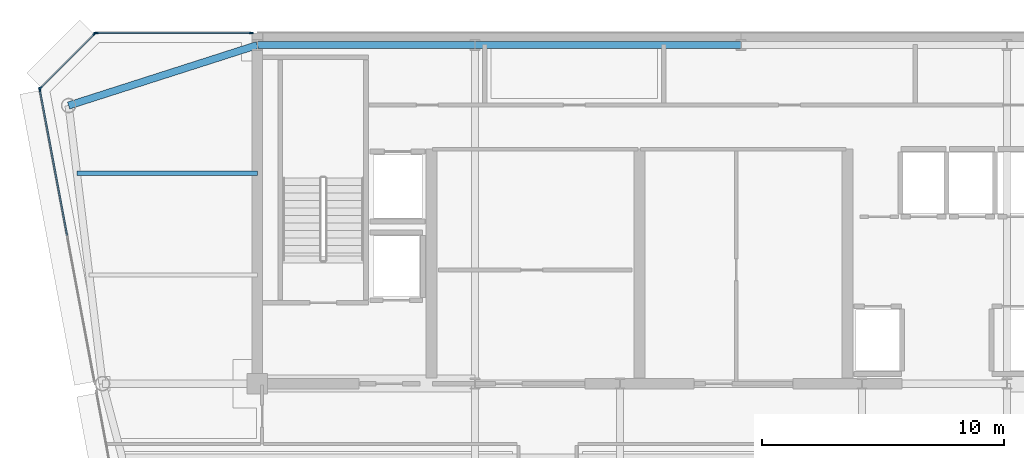
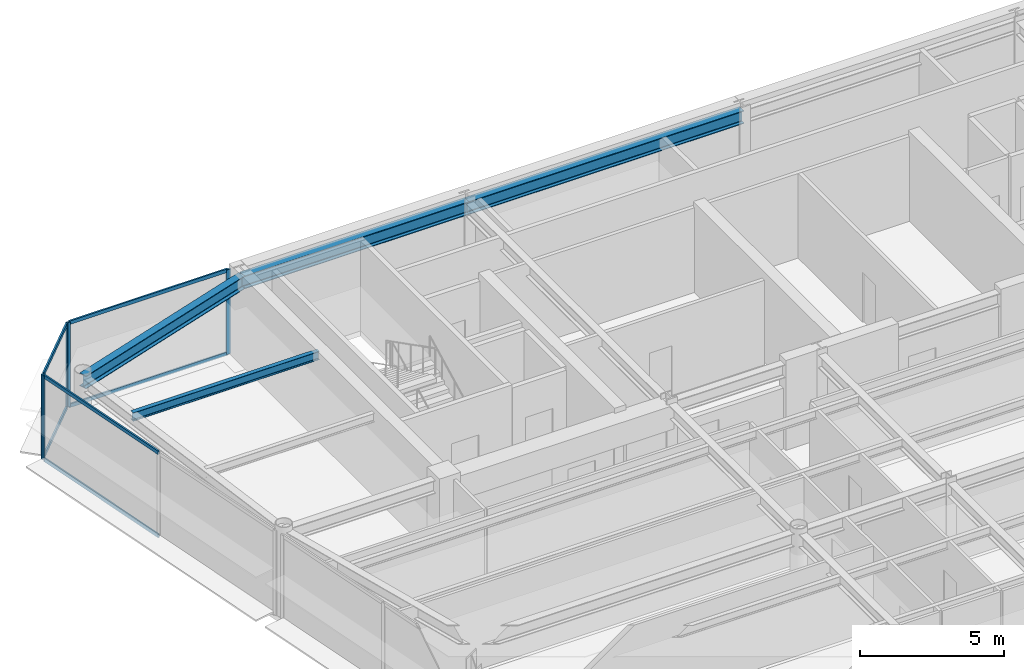
# One storey, part 8 of 20: 11 members, 4 beams, 3 elements without a shape of their own.
"""IFC4 building model written with IfcOpenShell, lengths in metres."""

from ifc_helpers import new_model, si_unit, direction, frame, origin, origin_2d, place, context, subcontext, project, spatial, rectangle, i_section, extrude, source, transform, mapped, material, layer, layer_set, material_profile, profile_set, type_object, element, aggregate, save


model = new_model("IFC4")

# Units and contexts
model_context = context("Model", 3, precision=1e-05, world=origin(), true_north=direction((0.0, 1.0)))
body_context = subcontext(model_context, "Body", "Model", "MODEL_VIEW")
ifc_project = project(units=[si_unit("LENGTHUNIT", "METRE"), si_unit("AREAUNIT", "SQUARE_METRE"), si_unit("VOLUMEUNIT", "CUBIC_METRE"), si_unit("PLANEANGLEUNIT", "RADIAN"), si_unit("MASSUNIT", "GRAM", prefix="KILO")], contexts=[model_context])

# Site, building, storey
site_placement = place(None, origin())
site = spatial("IfcSite", under=ifc_project, at=site_placement, CompositionType="ELEMENT")
building_placement = place(site_placement, origin())
building = spatial("IfcBuilding", under=site, at=building_placement, Name="Vaeldorn Concourse Tower", CompositionType="ELEMENT")
storey_placement = place(building_placement, frame((0.0, 0.0, 268.800048828125)))
storey = spatial("IfcBuildingStorey", under=building, at=storey_placement, Name="L69", CompositionType="ELEMENT", Elevation=268.800048828125)

# Beams
ifc_material_1 = material(Name="Steel S355", Category="steel")
ifc_material_profile_1 = material_profile(ifc_material_1, i_section(OverallWidth=0.300048828125, OverallDepth=0.550048828125, WebThickness=0.014892578125, FlangeThickness=0.029052734375, FilletRadius=0.027099609375, at=origin_2d()), Name="HEB 550")
ifc_profile_set_1 = profile_set([ifc_material_profile_1], Name="Steel S355")
beam_type_1 = type_object("IfcBeamType", Name="BM-PG-HEB550", PredefinedType="BEAM", material=ifc_profile_set_1)
shared_shape_1 = source(origin(), body_context, "Body", "SweptSolid", [
    extrude(i_section(OverallWidth=0.300048828125, OverallDepth=0.550048828125, WebThickness=0.014892578125, FlangeThickness=0.029052734375, FilletRadius=0.027099609375, at=origin_2d()), origin(), (0.0, 0.0, 1.0), 9.0),
])
beam_1_placement = place(storey_placement, frame((14.0, 50.5, 3.304931640625), z_axis=(1.0, 0.0, 0.0), x_axis=(0.0, 1.0, 0.0)))
element("IfcBeam", 1, at=beam_1_placement, inside=storey, type_object=beam_type_1, Name="Beam BM-L69-C-HC1-C-HC2", PredefinedType="BEAM", context=body_context, shape_type="MappedRepresentation", body=[
    mapped(shared_shape_1, transform((0.0, 0.0, 0.0), scale=1.0)),
])
shared_shape_2 = source(origin(), body_context, "Body", "SweptSolid", [
    extrude(i_section(OverallWidth=0.300048828125, OverallDepth=0.550048828125, WebThickness=0.014892578125, FlangeThickness=0.029052734375, FilletRadius=0.027099609375, at=origin_2d()), origin(), (0.0, 0.0, 1.0), 11.0),
])
beam_2_placement = place(storey_placement, frame((23.0, 50.5, 3.304931640625), z_axis=(1.0, 0.0, 0.0), x_axis=(0.0, 1.0, 0.0)))
element("IfcBeam", 2, at=beam_2_placement, inside=storey, type_object=beam_type_1, Name="Beam BM-L69-C-HC2-C-HC3", PredefinedType="BEAM", context=body_context, shape_type="MappedRepresentation", body=[
    mapped(shared_shape_2, transform((0.0, 0.0, 0.0), scale=1.0)),
])
shared_shape_3 = source(origin(), body_context, "Body", "SweptSolid", [
    extrude(i_section(OverallWidth=0.300048828125, OverallDepth=0.550048828125, WebThickness=0.014892578125, FlangeThickness=0.029052734375, FilletRadius=0.027099609375, at=origin_2d()), origin(), (0.0, 0.0, 1.0), 8.19091796875),
])
beam_3_placement = place(storey_placement, frame((6.199951171875, 48.0, 3.304931640625), z_axis=(0.952282843383, 0.305216949396, 0.0), x_axis=(-0.305216949396, 0.952282843383, 0.0)))
element("IfcBeam", 3, at=beam_3_placement, inside=storey, type_object=beam_type_1, Name="Beam BM-L69-C-NW1-C-HC1", PredefinedType="BEAM", context=body_context, shape_type="MappedRepresentation", body=[
    mapped(shared_shape_3, transform((0.0, 0.0, 0.0), scale=1.0)),
])
ifc_material_profile_2 = material_profile(ifc_material_1, i_section(OverallWidth=0.169921875, OverallDepth=0.360107421875, WebThickness=0.008056640625, FlangeThickness=0.0126953125, FilletRadius=0.01806640625, at=origin_2d()), Name="IPE 360")
ifc_profile_set_2 = profile_set([ifc_material_profile_2], Name="Steel S355")
beam_type_2 = type_object("IfcBeamType", Name="BM-JS-IPE360", PredefinedType="JOIST", material=ifc_profile_set_2)
shared_shape_4 = source(origin(), body_context, "Body", "SweptSolid", [
    extrude(i_section(OverallWidth=0.169921875, OverallDepth=0.360107421875, WebThickness=0.008056640625, FlangeThickness=0.0126953125, FilletRadius=0.01806640625, at=origin_2d()), origin(), (0.0, 0.0, 1.0), 7.458984375),
])
beam_4_placement = place(storey_placement, frame((6.541015625, 45.199951171875, 3.39990234375), z_axis=(1.0, 0.0, 0.0), x_axis=(0.0, 1.0, 0.0)))
element("IfcBeam", 4, at=beam_4_placement, inside=storey, type_object=beam_type_2, Name="Beam JS-L69-NW-452", PredefinedType="JOIST", context=body_context, shape_type="MappedRepresentation", body=[
    mapped(shared_shape_4, transform((0.0, 0.0, 0.0), scale=1.0)),
])

# Curtain wall, members
ifc_material_2 = material(Name="Anodised Bronze Aluminium", Category="aluminium")
ifc_layer_1 = layer(ifc_material_2, 0.179931640625)
ifc_layer_set_1 = layer_set([ifc_layer_1], Name="Anodised Bronze Aluminium")
curtain_wall_type_1 = type_object("IfcCurtainWallType", Name="CW-SYS-05", PredefinedType="NOTDEFINED", material=ifc_layer_set_1)
curtain_wall_1_placement = place(storey_placement, origin())
curtain_wall_1 = element("IfcCurtainWall", 5, at=curtain_wall_1_placement, inside=storey, type_object=curtain_wall_type_1, Name="Unitised Curtain Wall CW-L69-E09-2", PredefinedType="NOTDEFINED")
ifc_material_profile_3 = material_profile(ifc_material_2, rectangle(XDim=0.06494140625, YDim=0.169921875, at=origin_2d()), Name="CWM 65x170")
ifc_profile_set_3 = profile_set([ifc_material_profile_3], Name="Anodised Bronze Aluminium")
member_type_1 = type_object("IfcMemberType", Name="CWM-BRONZE-170", PredefinedType="MULLION", material=ifc_profile_set_3)
shared_shape_5 = source(origin(), body_context, "Body", "SweptSolid", [
    extrude(rectangle(XDim=0.06494140625, YDim=0.169921875, at=origin_2d()), origin(), (0.0, 0.0, 1.0), 3.579833984375),
])
member_1_placement = place(storey_placement, frame((13.74755859375, 51.0, 0.0), z_axis=(0.0, 0.0, 1.0), x_axis=(0.0, -1.0, 0.0)))
member_1 = element("IfcMember", 6, at=member_1_placement, type_object=member_type_1, Name="CW-05 mullion 1", PredefinedType="MULLION", context=body_context, shape_type="MappedRepresentation", body=[
    mapped(shared_shape_5, transform((0.0, 0.0, 0.0), scale=1.0)),
])
member_2_placement = place(storey_placement, frame((7.33251953125, 51.0, 0.0), z_axis=(0.0, 0.0, 1.0), x_axis=(0.0, -1.0, 0.0)))
member_2 = element("IfcMember", 7, at=member_2_placement, type_object=member_type_1, Name="CW-05 mullion 2", PredefinedType="MULLION", context=body_context, shape_type="MappedRepresentation", body=[
    mapped(shared_shape_5, transform((0.0, 0.0, 0.0), scale=1.0)),
])

curtain_wall_2_placement = place(storey_placement, origin())
curtain_wall_2 = element("IfcCurtainWall", 8, at=curtain_wall_2_placement, inside=storey, type_object=curtain_wall_type_1, Name="Unitised Curtain Wall CW-L69-E10-1", PredefinedType="NOTDEFINED")
member_3_placement = place(storey_placement, frame((7.277099609375, 50.97705078125, 0.0), z_axis=(0.0, 0.0, 1.0), x_axis=(0.707106781187, -0.707106781187, 0.0)))
member_3 = element("IfcMember", 9, at=member_3_placement, type_object=member_type_1, Name="CW-05 mullion 1", PredefinedType="MULLION", context=body_context, shape_type="MappedRepresentation", body=[
    mapped(shared_shape_5, transform((0.0, 0.0, 0.0), scale=1.0)),
])
member_4_placement = place(storey_placement, frame((5.02294921875, 48.722900390625, 0.0), z_axis=(0.0, 0.0, 1.0), x_axis=(0.707106781187, -0.707106781187, 0.0)))
member_4 = element("IfcMember", 10, at=member_4_placement, type_object=member_type_1, Name="CW-05 mullion 2", PredefinedType="MULLION", context=body_context, shape_type="MappedRepresentation", body=[
    mapped(shared_shape_5, transform((0.0, 0.0, 0.0), scale=1.0)),
])

# Curtain wall, member
ifc_layer_2 = layer(ifc_material_2, 0.2099609375)
ifc_layer_set_2 = layer_set([ifc_layer_2], Name="Anodised Bronze Aluminium")
curtain_wall_type_2 = type_object("IfcCurtainWallType", Name="CW-SYS-06", PredefinedType="NOTDEFINED", material=ifc_layer_set_2)
curtain_wall_3_placement = place(storey_placement, origin())
curtain_wall_3 = element("IfcCurtainWall", 11, at=curtain_wall_3_placement, inside=storey, type_object=curtain_wall_type_2, Name="Unitised Curtain Wall CW-L69-E11-1", PredefinedType="NOTDEFINED")
member_5_placement = place(storey_placement, frame((5.006103515625, 48.66796875, 0.0), z_axis=(0.0, 0.0, 1.0), x_axis=(0.982880218842, 0.184245693053, 0.0)))
member_5 = element("IfcMember", 12, at=member_5_placement, type_object=member_type_1, Name="CW-06 mullion 1", PredefinedType="MULLION", context=body_context, shape_type="MappedRepresentation", body=[
    mapped(shared_shape_5, transform((0.0, 0.0, 0.0), scale=1.0)),
])

# Member
ifc_material_profile_4 = material_profile(ifc_material_2, rectangle(XDim=0.06494140625, YDim=0.14990234375, at=origin_2d()), Name="CWT 65x150")
ifc_profile_set_4 = profile_set([ifc_material_profile_4], Name="Anodised Bronze Aluminium")
member_type_2 = type_object("IfcMemberType", Name="CWT-BRONZE-150", PredefinedType="USERDEFINED", material=ifc_profile_set_4)
shared_shape_6 = source(origin(), body_context, "Body", "SweptSolid", [
    extrude(rectangle(XDim=0.06494140625, YDim=0.14990234375, at=origin_2d()), origin(), (0.0, 0.0, 1.0), 3.123046875),
])
member_6_placement = place(storey_placement, frame((7.254150390625, 50.9541015625, 0.032470703125), z_axis=(-0.707106781187, -0.707106781187, 0.0), x_axis=(0.707106781187, -0.707106781187, 0.0)))
member_6 = element("IfcMember", 13, at=member_6_placement, type_object=member_type_2, Name="CW-05 transom 1.1", ObjectType="TRANSOM", PredefinedType="USERDEFINED", context=body_context, shape_type="MappedRepresentation", body=[
    mapped(shared_shape_6, transform((0.0, 0.0, 0.0), scale=1.0)),
])

member_7_placement = place(storey_placement, frame((7.254150390625, 50.9541015625, 3.54736328125), z_axis=(-0.707106781187, -0.707106781187, 0.0), x_axis=(0.707106781187, -0.707106781187, 0.0)))
member_7 = element("IfcMember", 14, at=member_7_placement, type_object=member_type_2, Name="CW-05 transom 1.2", ObjectType="TRANSOM", PredefinedType="USERDEFINED", context=body_context, shape_type="MappedRepresentation", body=[
    mapped(shared_shape_6, transform((0.0, 0.0, 0.0), scale=1.0)),
])

aggregate(curtain_wall_2, [member_3, member_4, member_6, member_7])

shared_shape_7 = source(origin(), body_context, "Body", "SweptSolid", [
    extrude(rectangle(XDim=0.06494140625, YDim=0.14990234375, at=origin_2d()), origin(), (0.0, 0.0, 1.0), 6.35009765625),
])
member_8_placement = place(storey_placement, frame((13.715087890625, 51.0, 0.032470703125), z_axis=(-1.0, 0.0, 0.0), x_axis=(0.0, -1.0, 0.0)))
member_8 = element("IfcMember", 15, at=member_8_placement, type_object=member_type_2, Name="CW-05 transom 1.1", ObjectType="TRANSOM", PredefinedType="USERDEFINED", context=body_context, shape_type="MappedRepresentation", body=[
    mapped(shared_shape_7, transform((0.0, 0.0, 0.0), scale=1.0)),
])

member_9_placement = place(storey_placement, frame((13.715087890625, 51.0, 3.54736328125), z_axis=(-1.0, 0.0, 0.0), x_axis=(0.0, -1.0, 0.0)))
member_9 = element("IfcMember", 16, at=member_9_placement, type_object=member_type_2, Name="CW-05 transom 1.2", ObjectType="TRANSOM", PredefinedType="USERDEFINED", context=body_context, shape_type="MappedRepresentation", body=[
    mapped(shared_shape_7, transform((0.0, 0.0, 0.0), scale=1.0)),
])

aggregate(curtain_wall_1, [member_1, member_2, member_8, member_9])

shared_shape_8 = source(origin(), body_context, "Body", "SweptSolid", [
    extrude(rectangle(XDim=0.06494140625, YDim=0.14990234375, at=origin_2d()), origin(), (0.0, 0.0, 1.0), 6.103515625),
])
member_10_placement = place(storey_placement, frame((5.011962890625, 48.63623046875, 0.032470703125), z_axis=(0.18424023288, -0.982881242363, 0.0), x_axis=(0.982881242363, 0.18424023288, 0.0)))
member_10 = element("IfcMember", 17, at=member_10_placement, type_object=member_type_2, Name="CW-06 transom 1.1", ObjectType="TRANSOM", PredefinedType="USERDEFINED", context=body_context, shape_type="MappedRepresentation", body=[
    mapped(shared_shape_8, transform((0.0, 0.0, 0.0), scale=1.0)),
])

member_11_placement = place(storey_placement, frame((5.011962890625, 48.63623046875, 3.54736328125), z_axis=(0.18424023288, -0.982881242363, 0.0), x_axis=(0.982881242363, 0.18424023288, 0.0)))
member_11 = element("IfcMember", 18, at=member_11_placement, type_object=member_type_2, Name="CW-06 transom 1.2", ObjectType="TRANSOM", PredefinedType="USERDEFINED", context=body_context, shape_type="MappedRepresentation", body=[
    mapped(shared_shape_8, transform((0.0, 0.0, 0.0), scale=1.0)),
])

aggregate(curtain_wall_3, [member_5, member_10, member_11])

save(model, "model.ifc")
